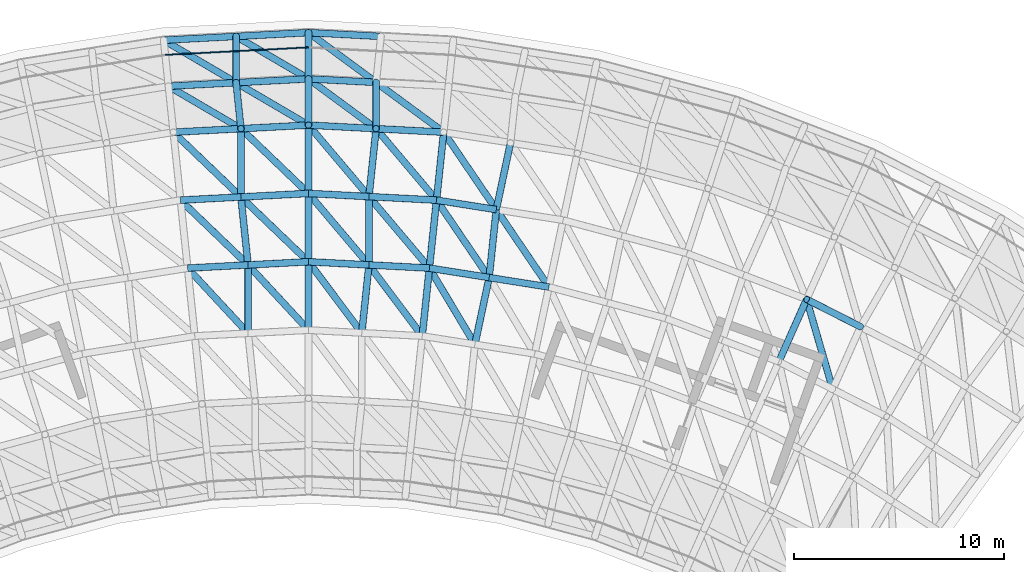
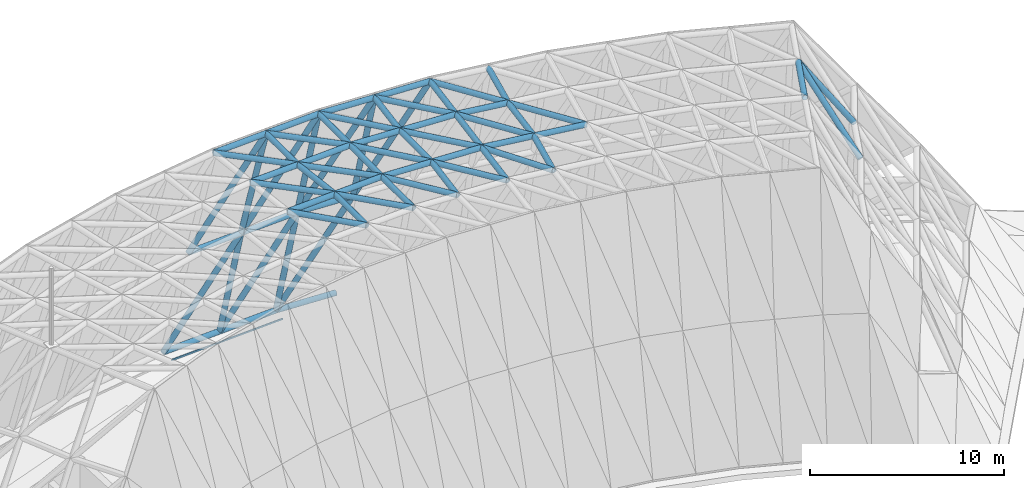
# One storey, part 8 of 20: 68 members.
"""IFC4 building model written with IfcOpenShell, lengths in metres."""

from ifc_helpers import new_model, si_unit, direction, frame, origin, origin_2d, place, context, subcontext, project, spatial, rectangle, hollow_circle, extrude, material, material_profile, profile_set, type_object, element, save


model = new_model("IFC4")

# Units and contexts
model_context = context("Model", 3, precision=1e-05, world=origin(), true_north=direction((0.0, 1.0)))
body_context = subcontext(model_context, "Body", "Model", "MODEL_VIEW")
ifc_project = project(units=[si_unit("LENGTHUNIT", "METRE"), si_unit("AREAUNIT", "SQUARE_METRE"), si_unit("VOLUMEUNIT", "CUBIC_METRE"), si_unit("PLANEANGLEUNIT", "RADIAN"), si_unit("MASSUNIT", "GRAM", prefix="KILO")], contexts=[model_context])

# Site, building, storey
site_placement = place(None, origin())
site = spatial("IfcSite", under=ifc_project, at=site_placement, CompositionType="ELEMENT")
building_placement = place(site_placement, origin())
building = spatial("IfcBuilding", under=site, at=building_placement, Name="Stone Belt Terrace Tower", CompositionType="ELEMENT")
storey_placement = place(building_placement, frame((0.0, 0.0, 337.39990234375)))
storey = spatial("IfcBuildingStorey", under=building, at=storey_placement, Name="RF", CompositionType="ELEMENT", Elevation=337.39990234375)

# Members
ifc_material_1 = material(Name="Structural steel C345", Category="steel")
ifc_material_profile_1 = material_profile(ifc_material_1, hollow_circle(Radius=0.16259765625, WallThickness=0.011962890625, at=origin_2d()), Name="Structural steel C345 CHS 325x12")
ifc_profile_set_1 = profile_set([ifc_material_profile_1], Name="Structural steel C345")
member_type_1 = type_object("IfcMemberType", Name="Crown frame tube CHS 325 x 12", PredefinedType="RAFTER", material=ifc_profile_set_1)
member_1_placement = place(storey_placement, frame((-6.888427734375, 65.5380859375, 0.16259765625), z_axis=(0.405384396643, -0.237633184026, 0.882719638848), x_axis=(0.505710083672, 0.862703489776, 0.0)))
element("IfcMember", 1, at=member_1_placement, inside=storey, type_object=member_type_1, Name="CROWN FRAME rafter 234", PredefinedType="RAFTER", context=body_context, shape_type="SweptSolid", body=[
    extrude(hollow_circle(Radius=0.16259765625, WallThickness=0.011962890625, at=origin_2d()), origin(), (0.0, 0.0, 1.0), 8.49658203125),
])
member_2_placement = place(storey_placement, frame((-6.658447265625, 63.3505859375, 7.66259765625), z_axis=(0.405360383965, -0.237635952037, 0.88272992099), x_axis=(0.505736763207, 0.862687849886, 0.0)))
element("IfcMember", 2, at=member_2_placement, inside=storey, type_object=member_type_1, Name="CROWN FRAME rafter 237", PredefinedType="RAFTER", context=body_context, shape_type="SweptSolid", body=[
    extrude(hollow_circle(Radius=0.16259765625, WallThickness=0.011962890625, at=origin_2d()), origin(), (0.0, 0.0, 1.0), 8.496337890625),
])
member_3_placement = place(storey_placement, frame((-3.444091796875, 65.71875, 0.16259765625), z_axis=(0.0, -0.281439053934, 0.959579105088), x_axis=(1.0, 0.0, 0.0)))
element("IfcMember", 3, at=member_3_placement, inside=storey, type_object=member_type_1, Name="CROWN FRAME rafter 276", PredefinedType="RAFTER", context=body_context, shape_type="SweptSolid", body=[
    extrude(hollow_circle(Radius=0.16259765625, WallThickness=0.011962890625, at=origin_2d()), origin(), (0.0, 0.0, 1.0), 7.81591796875),
])
for number, where, z_axis, x_axis, name in (
    (4, (-3.444091796875, 65.71875, 0.16259765625), (0.405360383965, -0.237635952037, 0.88272992099), (0.505736763207, 0.862687849886, 0.0), "CROWN FRAME rafter 278"),
    (5, (-3.444091796875, 63.51904296875, 7.66259765625), (0.405360383965, -0.237635952037, 0.88272992099), (0.505736763207, 0.862687849886, 0.0), "CROWN FRAME rafter 280"),
):
    element("IfcMember", number, at=place(storey_placement, frame(where, z_axis=z_axis, x_axis=x_axis)), inside=storey, type_object=member_type_1, Name=name, PredefinedType="RAFTER", context=body_context, shape_type="SweptSolid", body=[
        extrude(hollow_circle(Radius=0.16259765625, WallThickness=0.011962890625, at=origin_2d()), origin(), (0.0, 0.0, 1.0), 8.496337890625),
    ])
for number, where, z_axis, x_axis, name in (
    (6, (-3.444091796875, 63.51904296875, 7.66259765625), (0.029393544043, -0.279879016602, 0.959585199779), (0.99453036095, 0.104447887238, 0.0), "CROWN FRAME rafter 281"),
    (7, (0.0, 65.899169921875, 0.16259765625), (0.0, -0.281410291418, 0.959587540501), (1.0, 0.0, 0.0), "CROWN FRAME rafter 282"),
):
    element("IfcMember", number, at=place(storey_placement, frame(where, z_axis=z_axis, x_axis=x_axis)), inside=storey, type_object=member_type_1, Name=name, PredefinedType="RAFTER", context=body_context, shape_type="SweptSolid", body=[
        extrude(hollow_circle(Radius=0.16259765625, WallThickness=0.011962890625, at=origin_2d()), origin(), (0.0, 0.0, 1.0), 7.81591796875),
    ])
member_4_placement = place(storey_placement, frame((0.0, 65.899169921875, 0.16259765625), z_axis=(0.378318876589, -0.278696246699, 0.882724889018), x_axis=(0.59310933804, 0.805121924388, 0.0)))
element("IfcMember", 8, at=member_4_placement, inside=storey, type_object=member_type_1, Name="CROWN FRAME rafter 284", PredefinedType="RAFTER", context=body_context, shape_type="SweptSolid", body=[
    extrude(hollow_circle(Radius=0.16259765625, WallThickness=0.011962890625, at=origin_2d()), origin(), (0.0, 0.0, 1.0), 8.496337890625),
])
member_5_placement = place(storey_placement, frame((0.0, 63.69970703125, 7.66259765625), z_axis=(0.0, -0.281439053934, 0.959579105088), x_axis=(1.0, 0.0, 0.0)))
element("IfcMember", 9, at=member_5_placement, inside=storey, type_object=member_type_1, Name="CROWN FRAME rafter 285", PredefinedType="RAFTER", context=body_context, shape_type="SweptSolid", body=[
    extrude(hollow_circle(Radius=0.16259765625, WallThickness=0.011962890625, at=origin_2d()), origin(), (0.0, 0.0, 1.0), 7.81591796875),
])
member_6_placement = place(storey_placement, frame((0.0, 63.69970703125, 7.66259765625), z_axis=(0.378315846813, -0.278722749057, 0.882717819695), x_axis=(0.593148975652, 0.805092723034, 0.0)))
element("IfcMember", 10, at=member_6_placement, inside=storey, type_object=member_type_1, Name="CROWN FRAME rafter 287", PredefinedType="RAFTER", context=body_context, shape_type="SweptSolid", body=[
    extrude(hollow_circle(Radius=0.16259765625, WallThickness=0.011962890625, at=origin_2d()), origin(), (0.0, 0.0, 1.0), 8.49658203125),
])
member_7_placement = place(storey_placement, frame((3.21435546875, 63.53125, 7.66259765625), z_axis=(0.378291224644, -0.278725778887, 0.882727415197), x_axis=(0.593178177969, 0.805071207522, 0.0)))
element("IfcMember", 11, at=member_7_placement, inside=storey, type_object=member_type_1, Name="CROWN FRAME rafter 330", PredefinedType="RAFTER", context=body_context, shape_type="SweptSolid", body=[
    extrude(hollow_circle(Radius=0.16259765625, WallThickness=0.011962890625, at=origin_2d()), origin(), (0.0, 0.0, 1.0), 8.496337890625),
])
member_8_placement = place(storey_placement, frame((3.21435546875, 63.53125, 7.66259765625), z_axis=(0.0, -0.281439053934, 0.959579105088), x_axis=(1.0, 0.0, 0.0)))
element("IfcMember", 12, at=member_8_placement, inside=storey, type_object=member_type_1, Name="CROWN FRAME rafter 331", PredefinedType="RAFTER", context=body_context, shape_type="SweptSolid", body=[
    extrude(hollow_circle(Radius=0.16259765625, WallThickness=0.011962890625, at=origin_2d()), origin(), (0.0, 0.0, 1.0), 7.81591796875),
])
member_9_placement = place(storey_placement, frame((23.6923828125, 53.214111328125, 15.16259765625), z_axis=(0.525508822311, -0.267781887276, -0.807547731419), x_axis=(0.454019800421, 0.890991594139, 0.0)))
element("IfcMember", 13, at=member_9_placement, inside=storey, type_object=member_type_1, Name="CROWN FRAME rafter 498", PredefinedType="RAFTER", context=body_context, shape_type="SweptSolid", body=[
    extrude(hollow_circle(Radius=0.16259765625, WallThickness=0.011962890625, at=origin_2d()), origin(), (0.0, 0.0, 1.0), 4.88037109375),
])
member_10_placement = place(storey_placement, frame((23.6923828125, 53.214111328125, 15.16259765625), z_axis=(0.209017390065, -0.719059235827, -0.662771111337), x_axis=(0.960253829777, 0.27912825439, 0.0)))
element("IfcMember", 14, at=member_10_placement, inside=storey, type_object=member_type_1, Name="CROWN FRAME rafter 499", PredefinedType="RAFTER", context=body_context, shape_type="SweptSolid", body=[
    extrude(hollow_circle(Radius=0.16259765625, WallThickness=0.011962890625, at=origin_2d()), origin(), (0.0, 0.0, 1.0), 5.946533203125),
])
ifc_material_profile_2 = material_profile(ifc_material_1, hollow_circle(Radius=0.16259765625, WallThickness=0.011962890625, at=origin_2d()), Name="Structural steel C345 CHS 325x12")
ifc_profile_set_2 = profile_set([ifc_material_profile_2], Name="Structural steel C345")
member_type_2 = type_object("IfcMemberType", Name="Crown ring and ridge tube CHS 325 x 12", PredefinedType="CHORD", material=ifc_profile_set_2)
member_11_placement = place(storey_placement, frame((-6.888427734375, 65.5380859375, 0.16259765625), z_axis=(0.998627199195, 0.052380502368, 0.0), x_axis=(-0.052380502368, 0.998627199195, 0.0)))
element("IfcMember", 15, at=member_11_placement, inside=storey, type_object=member_type_2, Name="CROWN FRAME ring beam 233", PredefinedType="CHORD", context=body_context, shape_type="SweptSolid", body=[
    extrude(hollow_circle(Radius=0.16259765625, WallThickness=0.011962890625, at=origin_2d()), origin(), (0.0, 0.0, 1.0), 3.448974609375),
])
member_12_placement = place(storey_placement, frame((-6.658447265625, 63.3505859375, 7.66259765625), z_axis=(0.998629538013, 0.052335894063, 0.0), x_axis=(-0.052335894063, 0.998629538013, 0.0)))
element("IfcMember", 16, at=member_12_placement, inside=storey, type_object=member_type_2, Name="CROWN FRAME cap beam 236", PredefinedType="CHORD", context=body_context, shape_type="SweptSolid", body=[
    extrude(hollow_circle(Radius=0.16259765625, WallThickness=0.011962890625, at=origin_2d()), origin(), (0.0, 0.0, 1.0), 3.21875),
])
member_13_placement = place(storey_placement, frame((-6.428466796875, 61.1630859375, 15.16259765625), z_axis=(0.998629330235, 0.052339858554, 0.0), x_axis=(-0.052339858554, 0.998629330235, 0.0)))
element("IfcMember", 17, at=member_13_placement, inside=storey, type_object=member_type_2, Name="CROWN FRAME cap beam 240", PredefinedType="CHORD", context=body_context, shape_type="SweptSolid", body=[
    extrude(hollow_circle(Radius=0.16259765625, WallThickness=0.011962890625, at=origin_2d()), origin(), (0.0, 0.0, 1.0), 3.218505859375),
])
member_14_placement = place(storey_placement, frame((-6.428466796875, 61.1630859375, 15.16259765625), z_axis=(0.721836400555, -0.692063733217, 0.0), x_axis=(0.692063733217, 0.721836400555, 0.0)))
element("IfcMember", 18, at=member_14_placement, inside=storey, type_object=member_type_2, Name="CROWN FRAME cap beam 241", PredefinedType="CHORD", context=body_context, shape_type="SweptSolid", body=[
    extrude(hollow_circle(Radius=0.16259765625, WallThickness=0.011962890625, at=origin_2d()), origin(), (0.0, 0.0, 1.0), 4.45263671875),
])
member_15_placement = place(storey_placement, frame((-6.0888671875, 57.930908203125, 15.16259765625), z_axis=(0.998629752813, 0.052331795268, 0.0), x_axis=(-0.052331795268, 0.998629752813, 0.0)))
element("IfcMember", 19, at=member_15_placement, inside=storey, type_object=member_type_2, Name="CROWN FRAME cap beam 248", PredefinedType="CHORD", context=body_context, shape_type="SweptSolid", body=[
    extrude(hollow_circle(Radius=0.16259765625, WallThickness=0.011962890625, at=origin_2d()), origin(), (0.0, 0.0, 1.0), 2.87841796875),
])
member_16_placement = place(storey_placement, frame((-6.0888671875, 57.930908203125, 15.16259765625), z_axis=(0.721862659925, -0.692036343125, 0.0), x_axis=(0.692036343125, 0.721862659925, 0.0)))
element("IfcMember", 20, at=member_16_placement, inside=storey, type_object=member_type_2, Name="CROWN FRAME cap beam 249", PredefinedType="CHORD", context=body_context, shape_type="SweptSolid", body=[
    extrude(hollow_circle(Radius=0.16259765625, WallThickness=0.011962890625, at=origin_2d()), origin(), (0.0, 0.0, 1.0), 4.452880859375),
])
member_17_placement = place(storey_placement, frame((-5.7490234375, 54.69873046875, 15.16259765625), z_axis=(0.998629752813, 0.052331795268, 0.0), x_axis=(-0.052331795268, 0.998629752813, 0.0)))
element("IfcMember", 21, at=member_17_placement, inside=storey, type_object=member_type_2, Name="CROWN FRAME cap beam 252", PredefinedType="CHORD", context=body_context, shape_type="SweptSolid", body=[
    extrude(hollow_circle(Radius=0.16259765625, WallThickness=0.011962890625, at=origin_2d()), origin(), (0.0, 0.0, 1.0), 2.87841796875),
])
member_18_placement = place(storey_placement, frame((-5.7490234375, 54.69873046875, 15.16259765625), z_axis=(0.680010137649, -0.733202709143, 0.0), x_axis=(0.733202709143, 0.680010137649, 0.0)))
element("IfcMember", 22, at=member_18_placement, inside=storey, type_object=member_type_2, Name="CROWN FRAME cap beam 253", PredefinedType="CHORD", context=body_context, shape_type="SweptSolid", body=[
    extrude(hollow_circle(Radius=0.16259765625, WallThickness=0.011962890625, at=origin_2d()), origin(), (0.0, 0.0, 1.0), 4.22705078125),
])
for number, where, z_axis, x_axis, name in (
    (23, (-3.444091796875, 65.71875, 0.16259765625), (0.998630705639, 0.05231360966, 0.0), (-0.05231360966, 0.998630705639, 0.0), "CROWN FRAME ring beam 277"),
    (24, (-3.444091796875, 63.51904296875, 7.66259765625), (0.998627004962, 0.052384205265, 0.0), (-0.052384205265, 0.998627004962, 0.0), "CROWN FRAME cap beam 279"),
    (25, (0.0, 65.899169921875, 0.16259765625), (0.998630705639, -0.05231360966, 0.0), (0.05231360966, 0.998630705639, 0.0), "CROWN FRAME ring beam 283"),
):
    element("IfcMember", number, at=place(storey_placement, frame(where, z_axis=z_axis, x_axis=x_axis)), inside=storey, type_object=member_type_2, Name=name, PredefinedType="CHORD", context=body_context, shape_type="SweptSolid", body=[
        extrude(hollow_circle(Radius=0.16259765625, WallThickness=0.011962890625, at=origin_2d()), origin(), (0.0, 0.0, 1.0), 3.44873046875),
    ])
for number, where, z_axis, x_axis, name in (
    (26, (0.0, 63.69970703125, 7.66259765625), (0.998629538013, -0.052335894063, 0.0), (0.052335894063, 0.998629538013, 0.0), "CROWN FRAME cap beam 286"),
    (27, (0.0, 61.5, 15.16259765625), (-0.998629538013, -0.052335894063, 0.0), (0.052335894063, -0.998629538013, 0.0), "CROWN FRAME cap beam 288"),
):
    element("IfcMember", number, at=place(storey_placement, frame(where, z_axis=z_axis, x_axis=x_axis)), inside=storey, type_object=member_type_2, Name=name, PredefinedType="CHORD", context=body_context, shape_type="SweptSolid", body=[
        extrude(hollow_circle(Radius=0.16259765625, WallThickness=0.011962890625, at=origin_2d()), origin(), (0.0, 0.0, 1.0), 3.21875),
    ])
member_19_placement = place(storey_placement, frame((0.0, 61.5, 15.16259765625), z_axis=(0.0, -1.0, 0.0), x_axis=(1.0, 0.0, 0.0)))
element("IfcMember", 28, at=member_19_placement, inside=storey, type_object=member_type_2, Name="CROWN FRAME cap beam 289", PredefinedType="CHORD", context=body_context, shape_type="SweptSolid", body=[
    extrude(hollow_circle(Radius=0.16259765625, WallThickness=0.011962890625, at=origin_2d()), origin(), (0.0, 0.0, 1.0), 3.25),
])
member_20_placement = place(storey_placement, frame((0.0, 61.5, 15.16259765625), z_axis=(0.998629538013, -0.052335894063, 0.0), x_axis=(0.052335894063, 0.998629538013, 0.0)))
element("IfcMember", 29, at=member_20_placement, inside=storey, type_object=member_type_2, Name="CROWN FRAME cap beam 290", PredefinedType="CHORD", context=body_context, shape_type="SweptSolid", body=[
    extrude(hollow_circle(Radius=0.16259765625, WallThickness=0.011962890625, at=origin_2d()), origin(), (0.0, 0.0, 1.0), 3.21875),
])
member_21_placement = place(storey_placement, frame((0.0, 61.5, 15.16259765625), z_axis=(0.645556276441, -0.763712703801, 0.0), x_axis=(0.763712703801, 0.645556276441, 0.0)))
element("IfcMember", 30, at=member_21_placement, inside=storey, type_object=member_type_2, Name="CROWN FRAME cap beam 291", PredefinedType="CHORD", context=body_context, shape_type="SweptSolid", body=[
    extrude(hollow_circle(Radius=0.16259765625, WallThickness=0.011962890625, at=origin_2d()), origin(), (0.0, 0.0, 1.0), 4.452880859375),
])
member_22_placement = place(storey_placement, frame((-3.21435546875, 61.33154296875, 15.16259765625), z_axis=(0.0, -1.0, 0.0), x_axis=(1.0, 0.0, 0.0)))
element("IfcMember", 31, at=member_22_placement, inside=storey, type_object=member_type_2, Name="CROWN FRAME cap beam 292", PredefinedType="CHORD", context=body_context, shape_type="SweptSolid", body=[
    extrude(hollow_circle(Radius=0.16259765625, WallThickness=0.011962890625, at=origin_2d()), origin(), (0.0, 0.0, 1.0), 3.25),
])
member_23_placement = place(storey_placement, frame((-3.21435546875, 61.33154296875, 15.16259765625), z_axis=(0.721862659925, -0.692036343125, 0.0), x_axis=(0.692036343125, 0.721862659925, 0.0)))
element("IfcMember", 32, at=member_23_placement, inside=storey, type_object=member_type_2, Name="CROWN FRAME cap beam 293", PredefinedType="CHORD", context=body_context, shape_type="SweptSolid", body=[
    extrude(hollow_circle(Radius=0.16259765625, WallThickness=0.011962890625, at=origin_2d()), origin(), (0.0, 0.0, 1.0), 4.452880859375),
])
member_24_placement = place(storey_placement, frame((-3.21435546875, 58.08154296875, 15.16259765625), z_axis=(0.998629538013, 0.052335894063, 0.0), x_axis=(-0.052335894063, 0.998629538013, 0.0)))
element("IfcMember", 33, at=member_24_placement, inside=storey, type_object=member_type_2, Name="CROWN FRAME cap beam 294", PredefinedType="CHORD", context=body_context, shape_type="SweptSolid", body=[
    extrude(hollow_circle(Radius=0.16259765625, WallThickness=0.011962890625, at=origin_2d()), origin(), (0.0, 0.0, 1.0), 3.21875),
])
member_25_placement = place(storey_placement, frame((-3.21435546875, 58.08154296875, 15.16259765625), z_axis=(0.721862659925, -0.692036343125, 0.0), x_axis=(0.692036343125, 0.721862659925, 0.0)))
element("IfcMember", 34, at=member_25_placement, inside=storey, type_object=member_type_2, Name="CROWN FRAME cap beam 295", PredefinedType="CHORD", context=body_context, shape_type="SweptSolid", body=[
    extrude(hollow_circle(Radius=0.16259765625, WallThickness=0.011962890625, at=origin_2d()), origin(), (0.0, 0.0, 1.0), 4.452880859375),
])
for number, where, z_axis, x_axis, name in (
    (35, (-3.21435546875, 58.08154296875, 15.16259765625), (0.104567472619, -0.994517794547, 0.0), (0.994517794547, 0.104567472619, 0.0), "CROWN FRAME cap beam 296"),
    (36, (0.0, 58.25, 15.16259765625), (0.0, -1.0, 0.0), (1.0, 0.0, 0.0), "CROWN FRAME cap beam 297"),
):
    element("IfcMember", number, at=place(storey_placement, frame(where, z_axis=z_axis, x_axis=x_axis)), inside=storey, type_object=member_type_2, Name=name, PredefinedType="CHORD", context=body_context, shape_type="SweptSolid", body=[
        extrude(hollow_circle(Radius=0.16259765625, WallThickness=0.011962890625, at=origin_2d()), origin(), (0.0, 0.0, 1.0), 3.25),
    ])
member_26_placement = place(storey_placement, frame((0.0, 58.25, 15.16259765625), z_axis=(0.998629752813, -0.052331795268, 0.0), x_axis=(0.052331795268, 0.998629752813, 0.0)))
element("IfcMember", 37, at=member_26_placement, inside=storey, type_object=member_type_2, Name="CROWN FRAME cap beam 298", PredefinedType="CHORD", context=body_context, shape_type="SweptSolid", body=[
    extrude(hollow_circle(Radius=0.16259765625, WallThickness=0.011962890625, at=origin_2d()), origin(), (0.0, 0.0, 1.0), 2.87841796875),
])
member_27_placement = place(storey_placement, frame((0.0, 58.25, 15.16259765625), z_axis=(0.645556276441, -0.763712703801, 0.0), x_axis=(0.763712703801, 0.645556276441, 0.0)))
element("IfcMember", 38, at=member_27_placement, inside=storey, type_object=member_type_2, Name="CROWN FRAME cap beam 299", PredefinedType="CHORD", context=body_context, shape_type="SweptSolid", body=[
    extrude(hollow_circle(Radius=0.16259765625, WallThickness=0.011962890625, at=origin_2d()), origin(), (0.0, 0.0, 1.0), 4.452880859375),
])
member_28_placement = place(storey_placement, frame((0.0, 55.0, 15.16259765625), z_axis=(-0.998629752813, -0.052331795268, 0.0), x_axis=(0.052331795268, -0.998629752813, 0.0)))
element("IfcMember", 39, at=member_28_placement, inside=storey, type_object=member_type_2, Name="CROWN FRAME cap beam 300", PredefinedType="CHORD", context=body_context, shape_type="SweptSolid", body=[
    extrude(hollow_circle(Radius=0.16259765625, WallThickness=0.011962890625, at=origin_2d()), origin(), (0.0, 0.0, 1.0), 2.87841796875),
])
member_29_placement = place(storey_placement, frame((0.0, 55.0, 15.16259765625), z_axis=(0.0, -1.0, 0.0), x_axis=(1.0, 0.0, 0.0)))
element("IfcMember", 40, at=member_29_placement, inside=storey, type_object=member_type_2, Name="CROWN FRAME cap beam 301", PredefinedType="CHORD", context=body_context, shape_type="SweptSolid", body=[
    extrude(hollow_circle(Radius=0.16259765625, WallThickness=0.011962890625, at=origin_2d()), origin(), (0.0, 0.0, 1.0), 3.25),
])
member_30_placement = place(storey_placement, frame((0.0, 55.0, 15.16259765625), z_axis=(0.998629752813, -0.052331795268, 0.0), x_axis=(0.052331795268, 0.998629752813, 0.0)))
element("IfcMember", 41, at=member_30_placement, inside=storey, type_object=member_type_2, Name="CROWN FRAME cap beam 302", PredefinedType="CHORD", context=body_context, shape_type="SweptSolid", body=[
    extrude(hollow_circle(Radius=0.16259765625, WallThickness=0.011962890625, at=origin_2d()), origin(), (0.0, 0.0, 1.0), 2.87841796875),
])
member_31_placement = place(storey_placement, frame((0.0, 55.0, 15.16259765625), z_axis=(0.599667280925, -0.800249431233, 0.0), x_axis=(0.800249431233, 0.599667280925, 0.0)))
element("IfcMember", 42, at=member_31_placement, inside=storey, type_object=member_type_2, Name="CROWN FRAME cap beam 303", PredefinedType="CHORD", context=body_context, shape_type="SweptSolid", body=[
    extrude(hollow_circle(Radius=0.16259765625, WallThickness=0.011962890625, at=origin_2d()), origin(), (0.0, 0.0, 1.0), 4.227294921875),
])
member_32_placement = place(storey_placement, frame((-2.87451171875, 54.849365234375, 15.16259765625), z_axis=(0.0, -1.0, 0.0), x_axis=(1.0, 0.0, 0.0)))
element("IfcMember", 43, at=member_32_placement, inside=storey, type_object=member_type_2, Name="CROWN FRAME cap beam 304", PredefinedType="CHORD", context=body_context, shape_type="SweptSolid", body=[
    extrude(hollow_circle(Radius=0.16259765625, WallThickness=0.011962890625, at=origin_2d()), origin(), (0.0, 0.0, 1.0), 3.25),
])
member_33_placement = place(storey_placement, frame((-2.87451171875, 54.849365234375, 15.16259765625), z_axis=(0.680010137649, -0.733202709143, 0.0), x_axis=(0.733202709143, 0.680010137649, 0.0)))
element("IfcMember", 44, at=member_33_placement, inside=storey, type_object=member_type_2, Name="CROWN FRAME cap beam 305", PredefinedType="CHORD", context=body_context, shape_type="SweptSolid", body=[
    extrude(hollow_circle(Radius=0.16259765625, WallThickness=0.011962890625, at=origin_2d()), origin(), (0.0, 0.0, 1.0), 4.22705078125),
])
member_34_placement = place(storey_placement, frame((6.428466796875, 61.1630859375, 15.16259765625), z_axis=(-0.998629330235, 0.052339858554, 0.0), x_axis=(-0.052339858554, -0.998629330235, 0.0)))
element("IfcMember", 45, at=member_34_placement, inside=storey, type_object=member_type_2, Name="CROWN FRAME cap beam 338", PredefinedType="CHORD", context=body_context, shape_type="SweptSolid", body=[
    extrude(hollow_circle(Radius=0.16259765625, WallThickness=0.011962890625, at=origin_2d()), origin(), (0.0, 0.0, 1.0), 3.218505859375),
])
member_35_placement = place(storey_placement, frame((6.428466796875, 61.1630859375, 15.16259765625), z_axis=(-0.104493172826, -0.99452560391, 0.0), x_axis=(0.99452560391, -0.104493172826, 0.0)))
element("IfcMember", 46, at=member_35_placement, inside=storey, type_object=member_type_2, Name="CROWN FRAME cap beam 339", PredefinedType="CHORD", context=body_context, shape_type="SweptSolid", body=[
    extrude(hollow_circle(Radius=0.16259765625, WallThickness=0.011962890625, at=origin_2d()), origin(), (0.0, 0.0, 1.0), 3.25),
])
member_36_placement = place(storey_placement, frame((6.428466796875, 61.1630859375, 15.16259765625), z_axis=(0.562218535999, -0.826988704747, 0.0), x_axis=(0.826988704747, 0.562218535999, 0.0)))
element("IfcMember", 47, at=member_36_placement, inside=storey, type_object=member_type_2, Name="CROWN FRAME cap beam 341", PredefinedType="CHORD", context=body_context, shape_type="SweptSolid", body=[
    extrude(hollow_circle(Radius=0.16259765625, WallThickness=0.011962890625, at=origin_2d()), origin(), (0.0, 0.0, 1.0), 4.45263671875),
])
member_37_placement = place(storey_placement, frame((3.21435546875, 61.33154296875, 15.16259765625), z_axis=(-0.104567472619, -0.994517794547, 0.0), x_axis=(0.994517794547, -0.104567472619, 0.0)))
element("IfcMember", 48, at=member_37_placement, inside=storey, type_object=member_type_2, Name="CROWN FRAME cap beam 342", PredefinedType="CHORD", context=body_context, shape_type="SweptSolid", body=[
    extrude(hollow_circle(Radius=0.16259765625, WallThickness=0.011962890625, at=origin_2d()), origin(), (0.0, 0.0, 1.0), 3.25),
])
member_38_placement = place(storey_placement, frame((3.21435546875, 61.33154296875, 15.16259765625), z_axis=(0.645556276441, -0.763712703801, 0.0), x_axis=(0.763712703801, 0.645556276441, 0.0)))
element("IfcMember", 49, at=member_38_placement, inside=storey, type_object=member_type_2, Name="CROWN FRAME cap beam 343", PredefinedType="CHORD", context=body_context, shape_type="SweptSolid", body=[
    extrude(hollow_circle(Radius=0.16259765625, WallThickness=0.011962890625, at=origin_2d()), origin(), (0.0, 0.0, 1.0), 4.452880859375),
])
member_39_placement = place(storey_placement, frame((2.87451171875, 58.099365234375, 15.16259765625), z_axis=(0.998629538013, -0.052335894063, 0.0), x_axis=(0.052335894063, 0.998629538013, 0.0)))
element("IfcMember", 50, at=member_39_placement, inside=storey, type_object=member_type_2, Name="CROWN FRAME cap beam 344", PredefinedType="CHORD", context=body_context, shape_type="SweptSolid", body=[
    extrude(hollow_circle(Radius=0.16259765625, WallThickness=0.011962890625, at=origin_2d()), origin(), (0.0, 0.0, 1.0), 3.21875),
])
member_40_placement = place(storey_placement, frame((2.87451171875, 58.099365234375, 15.16259765625), z_axis=(0.645556276441, -0.763712703801, 0.0), x_axis=(0.763712703801, 0.645556276441, 0.0)))
element("IfcMember", 51, at=member_40_placement, inside=storey, type_object=member_type_2, Name="CROWN FRAME cap beam 345", PredefinedType="CHORD", context=body_context, shape_type="SweptSolid", body=[
    extrude(hollow_circle(Radius=0.16259765625, WallThickness=0.011962890625, at=origin_2d()), origin(), (0.0, 0.0, 1.0), 4.452880859375),
])
for number, where, z_axis, x_axis, name in (
    (52, (2.87451171875, 58.099365234375, 15.16259765625), (0.0, -1.0, 0.0), (1.0, 0.0, 0.0), "CROWN FRAME cap beam 346"),
    (53, (6.0888671875, 57.930908203125, 15.16259765625), (-0.104567472619, -0.994517794547, 0.0), (0.994517794547, -0.104567472619, 0.0), "CROWN FRAME cap beam 347"),
):
    element("IfcMember", number, at=place(storey_placement, frame(where, z_axis=z_axis, x_axis=x_axis)), inside=storey, type_object=member_type_2, Name=name, PredefinedType="CHORD", context=body_context, shape_type="SweptSolid", body=[
        extrude(hollow_circle(Radius=0.16259765625, WallThickness=0.011962890625, at=origin_2d()), origin(), (0.0, 0.0, 1.0), 3.25),
    ])
member_41_placement = place(storey_placement, frame((6.0888671875, 57.930908203125, 15.16259765625), z_axis=(0.987693409167, -0.156402459983, 0.0), x_axis=(0.156402459983, 0.987693409167, 0.0)))
element("IfcMember", 54, at=member_41_placement, inside=storey, type_object=member_type_2, Name="CROWN FRAME cap beam 348", PredefinedType="CHORD", context=body_context, shape_type="SweptSolid", body=[
    extrude(hollow_circle(Radius=0.16259765625, WallThickness=0.011962890625, at=origin_2d()), origin(), (0.0, 0.0, 1.0), 2.87841796875),
])
member_42_placement = place(storey_placement, frame((6.0888671875, 57.930908203125, 15.16259765625), z_axis=(0.562155544289, -0.827031525412, 0.0), x_axis=(0.827031525412, 0.562155544289, 0.0)))
element("IfcMember", 55, at=member_42_placement, inside=storey, type_object=member_type_2, Name="CROWN FRAME cap beam 349", PredefinedType="CHORD", context=body_context, shape_type="SweptSolid", body=[
    extrude(hollow_circle(Radius=0.16259765625, WallThickness=0.011962890625, at=origin_2d()), origin(), (0.0, 0.0, 1.0), 4.452880859375),
])
member_43_placement = place(storey_placement, frame((5.7490234375, 54.69873046875, 15.16259765625), z_axis=(-0.998629752813, 0.052331795268, 0.0), x_axis=(-0.052331795268, -0.998629752813, 0.0)))
element("IfcMember", 56, at=member_43_placement, inside=storey, type_object=member_type_2, Name="CROWN FRAME cap beam 350", PredefinedType="CHORD", context=body_context, shape_type="SweptSolid", body=[
    extrude(hollow_circle(Radius=0.16259765625, WallThickness=0.011962890625, at=origin_2d()), origin(), (0.0, 0.0, 1.0), 2.87841796875),
])
member_44_placement = place(storey_placement, frame((5.7490234375, 54.69873046875, 15.16259765625), z_axis=(-0.104493172826, -0.99452560391, 0.0), x_axis=(0.99452560391, -0.104493172826, 0.0)))
element("IfcMember", 57, at=member_44_placement, inside=storey, type_object=member_type_2, Name="CROWN FRAME cap beam 351", PredefinedType="CHORD", context=body_context, shape_type="SweptSolid", body=[
    extrude(hollow_circle(Radius=0.16259765625, WallThickness=0.011962890625, at=origin_2d()), origin(), (0.0, 0.0, 1.0), 3.25),
])
member_45_placement = place(storey_placement, frame((5.7490234375, 54.69873046875, 15.16259765625), z_axis=(0.987680303549, -0.156485200519, 0.0), x_axis=(0.156485200519, 0.987680303549, 0.0)))
element("IfcMember", 58, at=member_45_placement, inside=storey, type_object=member_type_2, Name="CROWN FRAME cap beam 352", PredefinedType="CHORD", context=body_context, shape_type="SweptSolid", body=[
    extrude(hollow_circle(Radius=0.16259765625, WallThickness=0.011962890625, at=origin_2d()), origin(), (0.0, 0.0, 1.0), 2.87841796875),
])
member_46_placement = place(storey_placement, frame((5.7490234375, 54.69873046875, 15.16259765625), z_axis=(0.512728111685, -0.858551037206, 0.0), x_axis=(0.858551037206, 0.512728111685, 0.0)))
element("IfcMember", 59, at=member_46_placement, inside=storey, type_object=member_type_2, Name="CROWN FRAME cap beam 353", PredefinedType="CHORD", context=body_context, shape_type="SweptSolid", body=[
    extrude(hollow_circle(Radius=0.16259765625, WallThickness=0.011962890625, at=origin_2d()), origin(), (0.0, 0.0, 1.0), 4.227294921875),
])
member_47_placement = place(storey_placement, frame((2.87451171875, 54.849365234375, 15.16259765625), z_axis=(-0.104493172826, -0.99452560391, 0.0), x_axis=(0.99452560391, -0.104493172826, 0.0)))
element("IfcMember", 60, at=member_47_placement, inside=storey, type_object=member_type_2, Name="CROWN FRAME cap beam 354", PredefinedType="CHORD", context=body_context, shape_type="SweptSolid", body=[
    extrude(hollow_circle(Radius=0.16259765625, WallThickness=0.011962890625, at=origin_2d()), origin(), (0.0, 0.0, 1.0), 3.25),
])
member_48_placement = place(storey_placement, frame((2.87451171875, 54.849365234375, 15.16259765625), z_axis=(0.599667280925, -0.800249431233, 0.0), x_axis=(0.800249431233, 0.599667280925, 0.0)))
element("IfcMember", 61, at=member_48_placement, inside=storey, type_object=member_type_2, Name="CROWN FRAME cap beam 355", PredefinedType="CHORD", context=body_context, shape_type="SweptSolid", body=[
    extrude(hollow_circle(Radius=0.16259765625, WallThickness=0.011962890625, at=origin_2d()), origin(), (0.0, 0.0, 1.0), 4.227294921875),
])
member_49_placement = place(storey_placement, frame((9.607421875, 60.65966796875, 15.16259765625), z_axis=(-0.207861451167, -0.978158278153, 0.0), x_axis=(0.978158278153, -0.207861451167, 0.0)))
element("IfcMember", 62, at=member_49_placement, inside=storey, type_object=member_type_2, Name="CROWN FRAME cap beam 392", PredefinedType="CHORD", context=body_context, shape_type="SweptSolid", body=[
    extrude(hollow_circle(Radius=0.16259765625, WallThickness=0.011962890625, at=origin_2d()), origin(), (0.0, 0.0, 1.0), 3.25),
])
member_50_placement = place(storey_placement, frame((8.931884765625, 57.480712890625, 15.16259765625), z_axis=(0.562155544289, -0.827031525412, 0.0), x_axis=(0.827031525412, 0.562155544289, 0.0)))
element("IfcMember", 63, at=member_50_placement, inside=storey, type_object=member_type_2, Name="CROWN FRAME cap beam 395", PredefinedType="CHORD", context=body_context, shape_type="SweptSolid", body=[
    extrude(hollow_circle(Radius=0.16259765625, WallThickness=0.011962890625, at=origin_2d()), origin(), (0.0, 0.0, 1.0), 4.452880859375),
])
member_51_placement = place(storey_placement, frame((8.931884765625, 57.480712890625, 15.16259765625), z_axis=(-0.104559661122, -0.994518615847, 0.0), x_axis=(0.994518615847, -0.104559661122, 0.0)))
element("IfcMember", 64, at=member_51_placement, inside=storey, type_object=member_type_2, Name="CROWN FRAME cap beam 396", PredefinedType="CHORD", context=body_context, shape_type="SweptSolid", body=[
    extrude(hollow_circle(Radius=0.16259765625, WallThickness=0.011962890625, at=origin_2d()), origin(), (0.0, 0.0, 1.0), 3.250244140625),
])
member_52_placement = place(storey_placement, frame((11.43505859375, 53.798095703125, 15.16259765625), z_axis=(-0.987693409167, 0.156402459983, 0.0), x_axis=(-0.156402459983, -0.987693409167, 0.0)))
element("IfcMember", 65, at=member_52_placement, inside=storey, type_object=member_type_2, Name="CROWN FRAME cap beam 400", PredefinedType="CHORD", context=body_context, shape_type="SweptSolid", body=[
    extrude(hollow_circle(Radius=0.16259765625, WallThickness=0.011962890625, at=origin_2d()), origin(), (0.0, 0.0, 1.0), 2.87841796875),
])
for number, where, z_axis, x_axis, name in (
    (66, (8.592041015625, 54.248291015625, 15.16259765625), (-0.207861451167, -0.978158278153, 0.0), (0.978158278153, -0.207861451167, 0.0), "CROWN FRAME cap beam 404"),
    (67, (23.6923828125, 53.214111328125, 15.16259765625), (-0.406709932569, -0.913557349459, 0.0), (0.913557349459, -0.406709932569, 0.0), "CROWN FRAME cap beam 497"),
):
    element("IfcMember", number, at=place(storey_placement, frame(where, z_axis=z_axis, x_axis=x_axis)), inside=storey, type_object=member_type_2, Name=name, PredefinedType="CHORD", context=body_context, shape_type="SweptSolid", body=[
        extrude(hollow_circle(Radius=0.16259765625, WallThickness=0.011962890625, at=origin_2d()), origin(), (0.0, 0.0, 1.0), 3.25),
    ])
ifc_material_2 = material(Name="Stainless steel AISI 304", Category="steel")
ifc_material_profile_3 = material_profile(ifc_material_2, rectangle(XDim=0.050048828125, YDim=0.10009765625, at=origin_2d()), Name="Stainless steel AISI 304 100x50")
ifc_profile_set_3 = profile_set([ifc_material_profile_3], Name="Stainless steel AISI 304")
member_type_3 = type_object("IfcMemberType", Name="Snow retention bar 100 x 50", PredefinedType="MEMBER", material=ifc_profile_set_3)
member_53_placement = place(storey_placement, frame((-6.815185546875, 64.841064453125, 0.050048828125), z_axis=(0.998629465872, 0.052337270592, 0.0), x_axis=(-0.052337270592, 0.998629465872, 0.0)))
element("IfcMember", 68, at=member_53_placement, inside=storey, type_object=member_type_3, Name="SNOW GUARD retention bar outer 6", PredefinedType="MEMBER", context=body_context, shape_type="SweptSolid", body=[
    extrude(rectangle(XDim=0.050048828125, YDim=0.10009765625, at=origin_2d()), origin(), (0.0, 0.0, 1.0), 6.824462890625),
])

save(model, "model.ifc")
